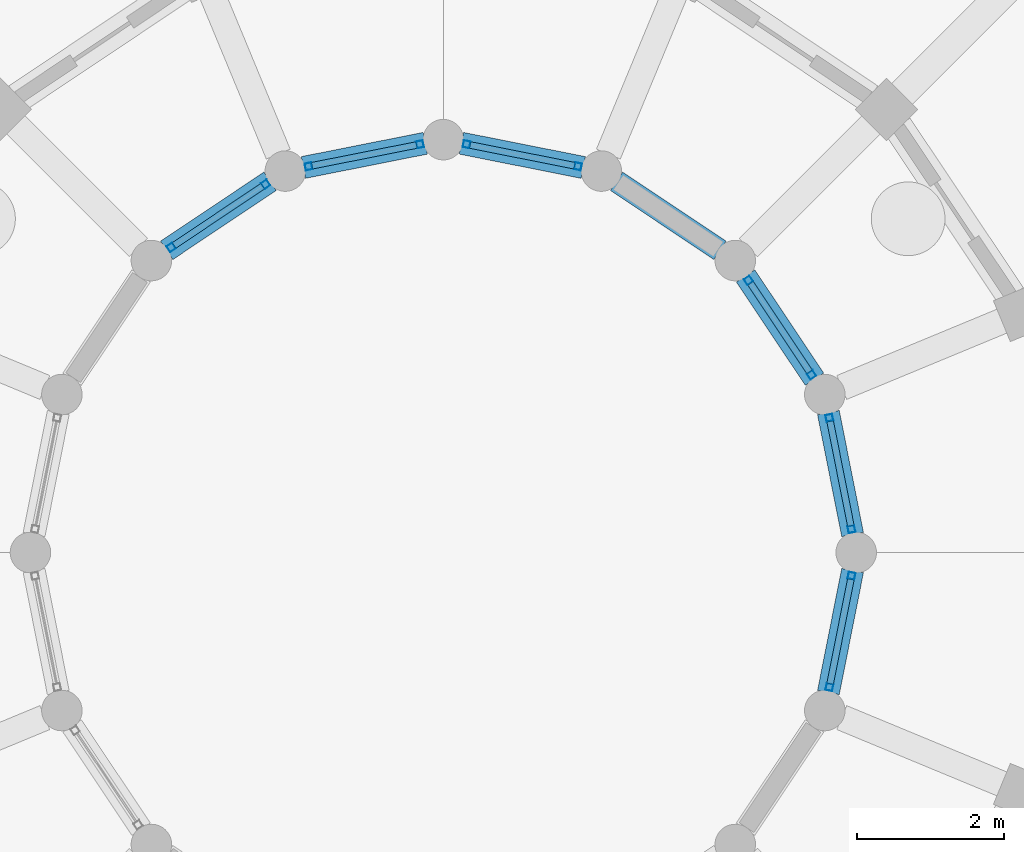
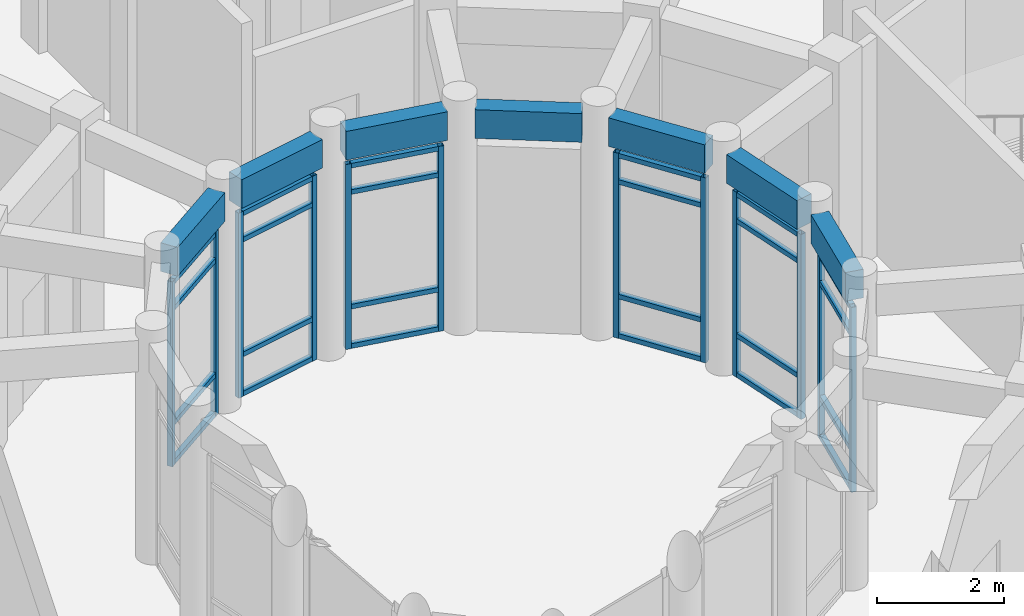
# One storey, part 22 of 153: 36 members, 7 beams, 6 elements without a shape of their own.
"""IFC4 building model written with IfcOpenShell, lengths in metres."""

from ifc_helpers import new_model, si_unit, direction, frame, origin, origin_2d, place, context, subcontext, project, spatial, rectangle, hollow_rectangle, extrude, material, material_profile, profile_set, type_object, element, aggregate, save


model = new_model("IFC4")

# Units and contexts
model_context = context("Model", 3, precision=1e-05, world=origin(), true_north=direction((0.0, 1.0)))
body_context = subcontext(model_context, "Body", "Model", "MODEL_VIEW")
ifc_project = project(units=[si_unit("LENGTHUNIT", "METRE"), si_unit("AREAUNIT", "SQUARE_METRE"), si_unit("VOLUMEUNIT", "CUBIC_METRE"), si_unit("PLANEANGLEUNIT", "RADIAN"), si_unit("MASSUNIT", "GRAM", prefix="KILO")], contexts=[model_context])

# Site, building, storey
site_placement = place(None, origin())
site = spatial("IfcSite", under=ifc_project, at=site_placement, CompositionType="ELEMENT")
building_placement = place(site_placement, origin())
building = spatial("IfcBuilding", under=site, at=building_placement, Name="Celadon Cloister-Ring School", CompositionType="ELEMENT")
storey_placement = place(building_placement, origin())
storey = spatial("IfcBuildingStorey", under=building, at=storey_placement, Name="L00", CompositionType="ELEMENT", Elevation=0.0)

# Curtain wall, members
ifc_material_1 = material(Name="Aluminium EN AW-6063 T6", Category="aluminium")
curtain_wall_type = type_object("IfcCurtainWallType", Name="CW-03", PredefinedType="USERDEFINED", material=ifc_material_1)
curtain_wall_1_placement = place(storey_placement, origin())
curtain_wall_1 = element("IfcCurtainWall", 1, at=curtain_wall_1_placement, inside=storey, type_object=curtain_wall_type, Name="Curtain Wall 0127", ObjectType="CURTAIN WALL", PredefinedType="USERDEFINED")
ifc_material_2 = material(Name="Aluminium EN AW-6063 T6", Category="aluminium")
ifc_material_profile_1 = material_profile(ifc_material_2, hollow_rectangle(XDim=0.094970703125, YDim=0.094970703125, WallThickness=0.00390625, at=origin_2d()), Name="RHS95X95X4")
ifc_profile_set_1 = profile_set([ifc_material_profile_1], Name="Aluminium EN AW-6063 T6")
member_type_1 = type_object("IfcMemberType", Name="CM-02", PredefinedType="MULLION", material=ifc_profile_set_1)
member_1_placement = place(storey_placement, frame((25.73681640625, 20.316650390625, 0.0), z_axis=(0.0, 0.0, 1.0), x_axis=(-0.980885435464, -0.194586131301, 0.0)))
member_1 = element("IfcMember", 2, at=member_1_placement, type_object=member_type_1, Name="CW-03 mullion 1", PredefinedType="MULLION", context=body_context, shape_type="SweptSolid", body=[
    extrude(hollow_rectangle(XDim=0.094970703125, YDim=0.094970703125, WallThickness=0.00390625, at=origin_2d()), origin(), (0.0, 0.0, 1.0), 3.550048828125),
])
member_2_placement = place(storey_placement, frame((25.437255859375, 21.826416015625, 0.0), z_axis=(0.0, 0.0, 1.0), x_axis=(-0.980885435464, -0.194586131301, 0.0)))
member_2 = element("IfcMember", 3, at=member_2_placement, type_object=member_type_1, Name="CW-03 mullion 2", PredefinedType="MULLION", context=body_context, shape_type="SweptSolid", body=[
    extrude(hollow_rectangle(XDim=0.094970703125, YDim=0.094970703125, WallThickness=0.00390625, at=origin_2d()), origin(), (0.0, 0.0, 1.0), 3.550048828125),
])

curtain_wall_2_placement = place(storey_placement, origin())
curtain_wall_2 = element("IfcCurtainWall", 4, at=curtain_wall_2_placement, inside=storey, type_object=curtain_wall_type, Name="Curtain Wall 0128", ObjectType="CURTAIN WALL", PredefinedType="USERDEFINED")
member_3_placement = place(storey_placement, frame((25.194580078125, 22.411376953125, 0.0), z_axis=(0.0, 0.0, 1.0), x_axis=(-0.831485091394, -0.555547066224, 0.0)))
member_3 = element("IfcMember", 5, at=member_3_placement, type_object=member_type_1, Name="CW-03 mullion 1", PredefinedType="MULLION", context=body_context, shape_type="SweptSolid", body=[
    extrude(hollow_rectangle(XDim=0.094970703125, YDim=0.094970703125, WallThickness=0.00390625, at=origin_2d()), origin(), (0.0, 0.0, 1.0), 3.550048828125),
])
member_4_placement = place(storey_placement, frame((24.33935546875, 23.69140625, 0.0), z_axis=(0.0, 0.0, 1.0), x_axis=(-0.831485091394, -0.555547066224, 0.0)))
member_4 = element("IfcMember", 6, at=member_4_placement, type_object=member_type_1, Name="CW-03 mullion 2", PredefinedType="MULLION", context=body_context, shape_type="SweptSolid", body=[
    extrude(hollow_rectangle(XDim=0.094970703125, YDim=0.094970703125, WallThickness=0.00390625, at=origin_2d()), origin(), (0.0, 0.0, 1.0), 3.550048828125),
])

curtain_wall_3_placement = place(storey_placement, origin())
curtain_wall_3 = element("IfcCurtainWall", 7, at=curtain_wall_3_placement, inside=storey, type_object=curtain_wall_type, Name="Curtain Wall 0129", ObjectType="CURTAIN WALL", PredefinedType="USERDEFINED")
member_5_placement = place(storey_placement, frame((22.0263671875, 25.2373046875, 0.0), z_axis=(0.0, 0.0, 1.0), x_axis=(-0.194586131301, -0.980885435464, 0.0)))
member_5 = element("IfcMember", 8, at=member_5_placement, type_object=member_type_1, Name="CW-03 mullion 1", PredefinedType="MULLION", context=body_context, shape_type="SweptSolid", body=[
    extrude(hollow_rectangle(XDim=0.094970703125, YDim=0.094970703125, WallThickness=0.00390625, at=origin_2d()), origin(), (0.0, 0.0, 1.0), 3.550048828125),
])
member_6_placement = place(storey_placement, frame((20.5166015625, 25.536865234375, 0.0), z_axis=(0.0, 0.0, 1.0), x_axis=(-0.194586131301, -0.980885435464, 0.0)))
member_6 = element("IfcMember", 9, at=member_6_placement, type_object=member_type_1, Name="CW-03 mullion 2", PredefinedType="MULLION", context=body_context, shape_type="SweptSolid", body=[
    extrude(hollow_rectangle(XDim=0.094970703125, YDim=0.094970703125, WallThickness=0.00390625, at=origin_2d()), origin(), (0.0, 0.0, 1.0), 3.550048828125),
])

curtain_wall_4_placement = place(storey_placement, origin())
curtain_wall_4 = element("IfcCurtainWall", 10, at=curtain_wall_4_placement, inside=storey, type_object=curtain_wall_type, Name="Curtain Wall 0130", ObjectType="CURTAIN WALL", PredefinedType="USERDEFINED")
member_7_placement = place(storey_placement, frame((19.88330078125, 25.536865234375, 0.0), z_axis=(0.0, 0.0, 1.0), x_axis=(0.194586131301, -0.980885435464, 0.0)))
member_7 = element("IfcMember", 11, at=member_7_placement, type_object=member_type_1, Name="CW-03 mullion 1", PredefinedType="MULLION", context=body_context, shape_type="SweptSolid", body=[
    extrude(hollow_rectangle(XDim=0.094970703125, YDim=0.094970703125, WallThickness=0.00390625, at=origin_2d()), origin(), (0.0, 0.0, 1.0), 3.550048828125),
])
member_8_placement = place(storey_placement, frame((18.37353515625, 25.2373046875, 0.0), z_axis=(0.0, 0.0, 1.0), x_axis=(0.194586131301, -0.980885435464, 0.0)))
member_8 = element("IfcMember", 12, at=member_8_placement, type_object=member_type_1, Name="CW-03 mullion 2", PredefinedType="MULLION", context=body_context, shape_type="SweptSolid", body=[
    extrude(hollow_rectangle(XDim=0.094970703125, YDim=0.094970703125, WallThickness=0.00390625, at=origin_2d()), origin(), (0.0, 0.0, 1.0), 3.550048828125),
])

curtain_wall_5_placement = place(storey_placement, origin())
curtain_wall_5 = element("IfcCurtainWall", 13, at=curtain_wall_5_placement, inside=storey, type_object=curtain_wall_type, Name="Curtain Wall 0131", ObjectType="CURTAIN WALL", PredefinedType="USERDEFINED")
member_9_placement = place(storey_placement, frame((17.78857421875, 24.99462890625, 0.0), z_axis=(0.0, 0.0, 1.0), x_axis=(0.555547066224, -0.831485091394, 0.0)))
member_9 = element("IfcMember", 14, at=member_9_placement, type_object=member_type_1, Name="CW-03 mullion 1", PredefinedType="MULLION", context=body_context, shape_type="SweptSolid", body=[
    extrude(hollow_rectangle(XDim=0.094970703125, YDim=0.094970703125, WallThickness=0.00390625, at=origin_2d()), origin(), (0.0, 0.0, 1.0), 3.550048828125),
])
member_10_placement = place(storey_placement, frame((16.508544921875, 24.139404296875, 0.0), z_axis=(0.0, 0.0, 1.0), x_axis=(0.555547066224, -0.831485091394, 0.0)))
member_10 = element("IfcMember", 15, at=member_10_placement, type_object=member_type_1, Name="CW-03 mullion 2", PredefinedType="MULLION", context=body_context, shape_type="SweptSolid", body=[
    extrude(hollow_rectangle(XDim=0.094970703125, YDim=0.094970703125, WallThickness=0.00390625, at=origin_2d()), origin(), (0.0, 0.0, 1.0), 3.550048828125),
])

curtain_wall_6_placement = place(storey_placement, origin())
curtain_wall_6 = element("IfcCurtainWall", 16, at=curtain_wall_6_placement, inside=storey, type_object=curtain_wall_type, Name="Curtain Wall 0138", ObjectType="CURTAIN WALL", PredefinedType="USERDEFINED")
member_11_placement = place(storey_placement, frame((25.437255859375, 18.173583984375, 0.0), z_axis=(0.0, 0.0, 1.0), x_axis=(-0.980885435464, 0.194586131301, 0.0)))
member_11 = element("IfcMember", 17, at=member_11_placement, type_object=member_type_1, Name="CW-03 mullion 1", PredefinedType="MULLION", context=body_context, shape_type="SweptSolid", body=[
    extrude(hollow_rectangle(XDim=0.094970703125, YDim=0.094970703125, WallThickness=0.00390625, at=origin_2d()), origin(), (0.0, 0.0, 1.0), 3.550048828125),
])
member_12_placement = place(storey_placement, frame((25.73681640625, 19.683349609375, 0.0), z_axis=(0.0, 0.0, 1.0), x_axis=(-0.980885435464, 0.194586131301, 0.0)))
member_12 = element("IfcMember", 18, at=member_12_placement, type_object=member_type_1, Name="CW-03 mullion 2", PredefinedType="MULLION", context=body_context, shape_type="SweptSolid", body=[
    extrude(hollow_rectangle(XDim=0.094970703125, YDim=0.094970703125, WallThickness=0.00390625, at=origin_2d()), origin(), (0.0, 0.0, 1.0), 3.550048828125),
])

# Member
ifc_material_3 = material(Name="Aluminium EN AW-6063 T6", Category="aluminium")
ifc_material_profile_2 = material_profile(ifc_material_3, hollow_rectangle(XDim=0.090087890625, YDim=0.090087890625, WallThickness=0.00390625, at=origin_2d()), Name="RHS90X90X4")
ifc_profile_set_2 = profile_set([ifc_material_profile_2], Name="Aluminium EN AW-6063 T6")
member_type_2 = type_object("IfcMemberType", Name="CTM-02", PredefinedType="USERDEFINED", material=ifc_profile_set_2)
member_13_placement = place(storey_placement, frame((25.7275390625, 20.36328125, 0.044921875), z_axis=(-0.194587856315, 0.980885093257, 0.0), x_axis=(-0.980885093257, -0.194587856315, 0.0)))
member_13 = element("IfcMember", 19, at=member_13_placement, type_object=member_type_2, Name="CW-03 transom 1.1", ObjectType="TRANSOM", PredefinedType="USERDEFINED", context=body_context, shape_type="SweptSolid", body=[
    extrude(hollow_rectangle(XDim=0.090087890625, YDim=0.090087890625, WallThickness=0.00390625, at=origin_2d()), origin(), (0.0, 0.0, 1.0), 1.444091796875),
])

member_14_placement = place(storey_placement, frame((25.7275390625, 20.36328125, 0.800048828125), z_axis=(-0.194587856315, 0.980885093257, 0.0), x_axis=(-0.980885093257, -0.194587856315, 0.0)))
member_14 = element("IfcMember", 20, at=member_14_placement, type_object=member_type_2, Name="CW-03 transom 1.2", ObjectType="TRANSOM", PredefinedType="USERDEFINED", context=body_context, shape_type="SweptSolid", body=[
    extrude(hollow_rectangle(XDim=0.090087890625, YDim=0.090087890625, WallThickness=0.00390625, at=origin_2d()), origin(), (0.0, 0.0, 1.0), 1.444091796875),
])

member_15_placement = place(storey_placement, frame((25.7275390625, 20.36328125, 3.0), z_axis=(-0.194587856315, 0.980885093257, 0.0), x_axis=(-0.980885093257, -0.194587856315, 0.0)))
member_15 = element("IfcMember", 21, at=member_15_placement, type_object=member_type_2, Name="CW-03 transom 1.3", ObjectType="TRANSOM", PredefinedType="USERDEFINED", context=body_context, shape_type="SweptSolid", body=[
    extrude(hollow_rectangle(XDim=0.090087890625, YDim=0.090087890625, WallThickness=0.00390625, at=origin_2d()), origin(), (0.0, 0.0, 1.0), 1.444091796875),
])

member_16_placement = place(storey_placement, frame((25.7275390625, 20.36328125, 3.5048828125), z_axis=(-0.194587856315, 0.980885093257, 0.0), x_axis=(-0.980885093257, -0.194587856315, 0.0)))
member_16 = element("IfcMember", 22, at=member_16_placement, type_object=member_type_2, Name="CW-03 transom 1.4", ObjectType="TRANSOM", PredefinedType="USERDEFINED", context=body_context, shape_type="SweptSolid", body=[
    extrude(hollow_rectangle(XDim=0.090087890625, YDim=0.090087890625, WallThickness=0.00390625, at=origin_2d()), origin(), (0.0, 0.0, 1.0), 1.444091796875),
])

aggregate(curtain_wall_1, [member_1, member_2, member_13, member_14, member_15, member_16])

member_17_placement = place(storey_placement, frame((25.168212890625, 22.450927734375, 0.044921875), z_axis=(-0.555518951009, 0.831503875559, 0.0), x_axis=(-0.831503875559, -0.555518951009, 0.0)))
member_17 = element("IfcMember", 23, at=member_17_placement, type_object=member_type_2, Name="CW-03 transom 1.1", ObjectType="TRANSOM", PredefinedType="USERDEFINED", context=body_context, shape_type="SweptSolid", body=[
    extrude(hollow_rectangle(XDim=0.090087890625, YDim=0.090087890625, WallThickness=0.00390625, at=origin_2d()), origin(), (0.0, 0.0, 1.0), 1.444580078125),
])

member_18_placement = place(storey_placement, frame((25.168212890625, 22.450927734375, 0.800048828125), z_axis=(-0.555518951009, 0.831503875559, 0.0), x_axis=(-0.831503875559, -0.555518951009, 0.0)))
member_18 = element("IfcMember", 24, at=member_18_placement, type_object=member_type_2, Name="CW-03 transom 1.2", ObjectType="TRANSOM", PredefinedType="USERDEFINED", context=body_context, shape_type="SweptSolid", body=[
    extrude(hollow_rectangle(XDim=0.090087890625, YDim=0.090087890625, WallThickness=0.00390625, at=origin_2d()), origin(), (0.0, 0.0, 1.0), 1.444580078125),
])

member_19_placement = place(storey_placement, frame((25.168212890625, 22.450927734375, 3.0), z_axis=(-0.555518951009, 0.831503875559, 0.0), x_axis=(-0.831503875559, -0.555518951009, 0.0)))
member_19 = element("IfcMember", 25, at=member_19_placement, type_object=member_type_2, Name="CW-03 transom 1.3", ObjectType="TRANSOM", PredefinedType="USERDEFINED", context=body_context, shape_type="SweptSolid", body=[
    extrude(hollow_rectangle(XDim=0.090087890625, YDim=0.090087890625, WallThickness=0.00390625, at=origin_2d()), origin(), (0.0, 0.0, 1.0), 1.444580078125),
])

member_20_placement = place(storey_placement, frame((25.168212890625, 22.450927734375, 3.5048828125), z_axis=(-0.555518951009, 0.831503875559, 0.0), x_axis=(-0.831503875559, -0.555518951009, 0.0)))
member_20 = element("IfcMember", 26, at=member_20_placement, type_object=member_type_2, Name="CW-03 transom 1.4", ObjectType="TRANSOM", PredefinedType="USERDEFINED", context=body_context, shape_type="SweptSolid", body=[
    extrude(hollow_rectangle(XDim=0.090087890625, YDim=0.090087890625, WallThickness=0.00390625, at=origin_2d()), origin(), (0.0, 0.0, 1.0), 1.444580078125),
])

aggregate(curtain_wall_2, [member_3, member_4, member_17, member_18, member_19, member_20])

member_21_placement = place(storey_placement, frame((21.979736328125, 25.24658203125, 0.044921875), z_axis=(-0.980885093257, 0.194587856315, 0.0), x_axis=(-0.194587856315, -0.980885093257, 0.0)))
member_21 = element("IfcMember", 27, at=member_21_placement, type_object=member_type_2, Name="CW-03 transom 1.1", ObjectType="TRANSOM", PredefinedType="USERDEFINED", context=body_context, shape_type="SweptSolid", body=[
    extrude(hollow_rectangle(XDim=0.090087890625, YDim=0.090087890625, WallThickness=0.00390625, at=origin_2d()), origin(), (0.0, 0.0, 1.0), 1.444091796875),
])

member_22_placement = place(storey_placement, frame((21.979736328125, 25.24658203125, 0.800048828125), z_axis=(-0.980885093257, 0.194587856315, 0.0), x_axis=(-0.194587856315, -0.980885093257, 0.0)))
member_22 = element("IfcMember", 28, at=member_22_placement, type_object=member_type_2, Name="CW-03 transom 1.2", ObjectType="TRANSOM", PredefinedType="USERDEFINED", context=body_context, shape_type="SweptSolid", body=[
    extrude(hollow_rectangle(XDim=0.090087890625, YDim=0.090087890625, WallThickness=0.00390625, at=origin_2d()), origin(), (0.0, 0.0, 1.0), 1.444091796875),
])

member_23_placement = place(storey_placement, frame((21.979736328125, 25.24658203125, 3.0), z_axis=(-0.980885093257, 0.194587856315, 0.0), x_axis=(-0.194587856315, -0.980885093257, 0.0)))
member_23 = element("IfcMember", 29, at=member_23_placement, type_object=member_type_2, Name="CW-03 transom 1.3", ObjectType="TRANSOM", PredefinedType="USERDEFINED", context=body_context, shape_type="SweptSolid", body=[
    extrude(hollow_rectangle(XDim=0.090087890625, YDim=0.090087890625, WallThickness=0.00390625, at=origin_2d()), origin(), (0.0, 0.0, 1.0), 1.444091796875),
])

member_24_placement = place(storey_placement, frame((21.979736328125, 25.24658203125, 3.5048828125), z_axis=(-0.980885093257, 0.194587856315, 0.0), x_axis=(-0.194587856315, -0.980885093257, 0.0)))
member_24 = element("IfcMember", 30, at=member_24_placement, type_object=member_type_2, Name="CW-03 transom 1.4", ObjectType="TRANSOM", PredefinedType="USERDEFINED", context=body_context, shape_type="SweptSolid", body=[
    extrude(hollow_rectangle(XDim=0.090087890625, YDim=0.090087890625, WallThickness=0.00390625, at=origin_2d()), origin(), (0.0, 0.0, 1.0), 1.444091796875),
])

aggregate(curtain_wall_3, [member_5, member_6, member_21, member_22, member_23, member_24])

member_25_placement = place(storey_placement, frame((19.8369140625, 25.527587890625, 0.044921875), z_axis=(-0.98089149302, -0.194555593394, 0.0), x_axis=(0.194555593394, -0.98089149302, 0.0)))
member_25 = element("IfcMember", 31, at=member_25_placement, type_object=member_type_2, Name="CW-03 transom 1.1", ObjectType="TRANSOM", PredefinedType="USERDEFINED", context=body_context, shape_type="SweptSolid", body=[
    extrude(hollow_rectangle(XDim=0.090087890625, YDim=0.090087890625, WallThickness=0.00390625, at=origin_2d()), origin(), (0.0, 0.0, 1.0), 1.4443359375),
])

member_26_placement = place(storey_placement, frame((19.8369140625, 25.527587890625, 0.800048828125), z_axis=(-0.98089149302, -0.194555593394, 0.0), x_axis=(0.194555593394, -0.98089149302, 0.0)))
member_26 = element("IfcMember", 32, at=member_26_placement, type_object=member_type_2, Name="CW-03 transom 1.2", ObjectType="TRANSOM", PredefinedType="USERDEFINED", context=body_context, shape_type="SweptSolid", body=[
    extrude(hollow_rectangle(XDim=0.090087890625, YDim=0.090087890625, WallThickness=0.00390625, at=origin_2d()), origin(), (0.0, 0.0, 1.0), 1.4443359375),
])

member_27_placement = place(storey_placement, frame((19.8369140625, 25.527587890625, 3.0), z_axis=(-0.98089149302, -0.194555593394, 0.0), x_axis=(0.194555593394, -0.98089149302, 0.0)))
member_27 = element("IfcMember", 33, at=member_27_placement, type_object=member_type_2, Name="CW-03 transom 1.3", ObjectType="TRANSOM", PredefinedType="USERDEFINED", context=body_context, shape_type="SweptSolid", body=[
    extrude(hollow_rectangle(XDim=0.090087890625, YDim=0.090087890625, WallThickness=0.00390625, at=origin_2d()), origin(), (0.0, 0.0, 1.0), 1.4443359375),
])

member_28_placement = place(storey_placement, frame((19.8369140625, 25.527587890625, 3.5048828125), z_axis=(-0.98089149302, -0.194555593394, 0.0), x_axis=(0.194555593394, -0.98089149302, 0.0)))
member_28 = element("IfcMember", 34, at=member_28_placement, type_object=member_type_2, Name="CW-03 transom 1.4", ObjectType="TRANSOM", PredefinedType="USERDEFINED", context=body_context, shape_type="SweptSolid", body=[
    extrude(hollow_rectangle(XDim=0.090087890625, YDim=0.090087890625, WallThickness=0.00390625, at=origin_2d()), origin(), (0.0, 0.0, 1.0), 1.4443359375),
])

aggregate(curtain_wall_4, [member_7, member_8, member_25, member_26, member_27, member_28])

member_29_placement = place(storey_placement, frame((17.7490234375, 24.96826171875, 0.044921875), z_axis=(-0.831451709445, -0.555597025604, 0.0), x_axis=(0.555597025604, -0.831451709445, 0.0)))
member_29 = element("IfcMember", 35, at=member_29_placement, type_object=member_type_2, Name="CW-03 transom 1.1", ObjectType="TRANSOM", PredefinedType="USERDEFINED", context=body_context, shape_type="SweptSolid", body=[
    extrude(hollow_rectangle(XDim=0.090087890625, YDim=0.090087890625, WallThickness=0.00390625, at=origin_2d()), origin(), (0.0, 0.0, 1.0), 1.4443359375),
])

member_30_placement = place(storey_placement, frame((17.7490234375, 24.96826171875, 0.800048828125), z_axis=(-0.831451709445, -0.555597025604, 0.0), x_axis=(0.555597025604, -0.831451709445, 0.0)))
member_30 = element("IfcMember", 36, at=member_30_placement, type_object=member_type_2, Name="CW-03 transom 1.2", ObjectType="TRANSOM", PredefinedType="USERDEFINED", context=body_context, shape_type="SweptSolid", body=[
    extrude(hollow_rectangle(XDim=0.090087890625, YDim=0.090087890625, WallThickness=0.00390625, at=origin_2d()), origin(), (0.0, 0.0, 1.0), 1.4443359375),
])

member_31_placement = place(storey_placement, frame((17.7490234375, 24.96826171875, 3.0), z_axis=(-0.831451709445, -0.555597025604, 0.0), x_axis=(0.555597025604, -0.831451709445, 0.0)))
member_31 = element("IfcMember", 37, at=member_31_placement, type_object=member_type_2, Name="CW-03 transom 1.3", ObjectType="TRANSOM", PredefinedType="USERDEFINED", context=body_context, shape_type="SweptSolid", body=[
    extrude(hollow_rectangle(XDim=0.090087890625, YDim=0.090087890625, WallThickness=0.00390625, at=origin_2d()), origin(), (0.0, 0.0, 1.0), 1.4443359375),
])

member_32_placement = place(storey_placement, frame((17.7490234375, 24.96826171875, 3.5048828125), z_axis=(-0.831451709445, -0.555597025604, 0.0), x_axis=(0.555597025604, -0.831451709445, 0.0)))
member_32 = element("IfcMember", 38, at=member_32_placement, type_object=member_type_2, Name="CW-03 transom 1.4", ObjectType="TRANSOM", PredefinedType="USERDEFINED", context=body_context, shape_type="SweptSolid", body=[
    extrude(hollow_rectangle(XDim=0.090087890625, YDim=0.090087890625, WallThickness=0.00390625, at=origin_2d()), origin(), (0.0, 0.0, 1.0), 1.4443359375),
])

aggregate(curtain_wall_5, [member_9, member_10, member_29, member_30, member_31, member_32])

member_33_placement = place(storey_placement, frame((25.446533203125, 18.22021484375, 0.044921875), z_axis=(0.194587856315, 0.980885093257, 0.0), x_axis=(-0.980885093257, 0.194587856315, 0.0)))
member_33 = element("IfcMember", 39, at=member_33_placement, type_object=member_type_2, Name="CW-03 transom 1.1", ObjectType="TRANSOM", PredefinedType="USERDEFINED", context=body_context, shape_type="SweptSolid", body=[
    extrude(hollow_rectangle(XDim=0.090087890625, YDim=0.090087890625, WallThickness=0.00390625, at=origin_2d()), origin(), (0.0, 0.0, 1.0), 1.444091796875),
])

member_34_placement = place(storey_placement, frame((25.446533203125, 18.22021484375, 0.800048828125), z_axis=(0.194587856315, 0.980885093257, 0.0), x_axis=(-0.980885093257, 0.194587856315, 0.0)))
member_34 = element("IfcMember", 40, at=member_34_placement, type_object=member_type_2, Name="CW-03 transom 1.2", ObjectType="TRANSOM", PredefinedType="USERDEFINED", context=body_context, shape_type="SweptSolid", body=[
    extrude(hollow_rectangle(XDim=0.090087890625, YDim=0.090087890625, WallThickness=0.00390625, at=origin_2d()), origin(), (0.0, 0.0, 1.0), 1.444091796875),
])

member_35_placement = place(storey_placement, frame((25.446533203125, 18.22021484375, 3.0), z_axis=(0.194587856315, 0.980885093257, 0.0), x_axis=(-0.980885093257, 0.194587856315, 0.0)))
member_35 = element("IfcMember", 41, at=member_35_placement, type_object=member_type_2, Name="CW-03 transom 1.3", ObjectType="TRANSOM", PredefinedType="USERDEFINED", context=body_context, shape_type="SweptSolid", body=[
    extrude(hollow_rectangle(XDim=0.090087890625, YDim=0.090087890625, WallThickness=0.00390625, at=origin_2d()), origin(), (0.0, 0.0, 1.0), 1.444091796875),
])

member_36_placement = place(storey_placement, frame((25.446533203125, 18.22021484375, 3.5048828125), z_axis=(0.194587856315, 0.980885093257, 0.0), x_axis=(-0.980885093257, 0.194587856315, 0.0)))
member_36 = element("IfcMember", 42, at=member_36_placement, type_object=member_type_2, Name="CW-03 transom 1.4", ObjectType="TRANSOM", PredefinedType="USERDEFINED", context=body_context, shape_type="SweptSolid", body=[
    extrude(hollow_rectangle(XDim=0.090087890625, YDim=0.090087890625, WallThickness=0.00390625, at=origin_2d()), origin(), (0.0, 0.0, 1.0), 1.444091796875),
])

aggregate(curtain_wall_6, [member_11, member_12, member_33, member_34, member_35, member_36])

# Beams
ifc_material_4 = material(Name="Concrete C35/45", Category="concrete")
ifc_material_profile_3 = material_profile(ifc_material_4, rectangle(XDim=0.300048828125, YDim=0.550048828125, at=origin_2d()), Name="RC300X550")
ifc_profile_set_3 = profile_set([ifc_material_profile_3], Name="Concrete C35/45")
beam_type = type_object("IfcBeamType", Name="SP-02", PredefinedType="SPANDREL", material=ifc_profile_set_3)
beam_1_placement = place(storey_placement, frame((25.7509765625, 20.2451171875, 3.985107421875), z_axis=(-0.194583435458, 0.980885970256, 0.0), x_axis=(-0.980885970256, -0.194583435458, 0.0)))
element("IfcBeam", 43, at=beam_1_placement, inside=storey, type_object=beam_type, Name="Beam 0875", PredefinedType="SPANDREL", context=body_context, shape_type="SweptSolid", body=[
    extrude(rectangle(XDim=0.300048828125, YDim=0.550048828125, at=origin_2d()), origin(), (0.0, 0.0, 1.0), 1.68505859375),
])
beam_2_placement = place(storey_placement, frame((25.235107421875, 22.35107421875, 3.985107421875), z_axis=(-0.555569328961, 0.831470216374, 0.0), x_axis=(-0.831470216374, -0.555569328961, 0.0)))
element("IfcBeam", 44, at=beam_2_placement, inside=storey, type_object=beam_type, Name="Beam 0878", PredefinedType="SPANDREL", context=body_context, shape_type="SweptSolid", body=[
    extrude(rectangle(XDim=0.300048828125, YDim=0.550048828125, at=origin_2d()), origin(), (0.0, 0.0, 1.0), 1.684814453125),
])
beam_3_placement = place(storey_placement, frame((23.951904296875, 24.09912109375, 3.985107421875), z_axis=(-0.831537153477, 0.555469137204, 0.0), x_axis=(-0.555469137204, -0.831537153477, 0.0)))
element("IfcBeam", 45, at=beam_3_placement, inside=storey, type_object=beam_type, Name="Beam 0881", PredefinedType="SPANDREL", context=body_context, shape_type="SweptSolid", body=[
    extrude(rectangle(XDim=0.300048828125, YDim=0.550048828125, at=origin_2d()), origin(), (0.0, 0.0, 1.0), 1.6845703125),
])
beam_4_placement = place(storey_placement, frame((22.097900390625, 25.222900390625, 3.985107421875), z_axis=(-0.980858307367, 0.194722830887, 0.0), x_axis=(-0.194722830887, -0.980858307367, 0.0)))
element("IfcBeam", 46, at=beam_4_placement, inside=storey, type_object=beam_type, Name="Beam 0884", PredefinedType="SPANDREL", context=body_context, shape_type="SweptSolid", body=[
    extrude(rectangle(XDim=0.300048828125, YDim=0.550048828125, at=origin_2d()), origin(), (0.0, 0.0, 1.0), 1.68505859375),
])
beam_5_placement = place(storey_placement, frame((19.955078125, 25.551025390625, 3.985107421875), z_axis=(-0.980863799725, -0.194695162728, 0.0), x_axis=(0.194695162728, -0.980863799725, 0.0)))
element("IfcBeam", 47, at=beam_5_placement, inside=storey, type_object=beam_type, Name="Beam 0886", PredefinedType="SPANDREL", context=body_context, shape_type="SweptSolid", body=[
    extrude(rectangle(XDim=0.300048828125, YDim=0.550048828125, at=origin_2d()), origin(), (0.0, 0.0, 1.0), 1.685302734375),
])
beam_6_placement = place(storey_placement, frame((17.84912109375, 25.034912109375, 3.985107421875), z_axis=(-0.831581859135, -0.555402207016, 0.0), x_axis=(0.555402207016, -0.831581859135, 0.0)))
element("IfcBeam", 48, at=beam_6_placement, inside=storey, type_object=beam_type, Name="Beam 0889", PredefinedType="SPANDREL", context=body_context, shape_type="SweptSolid", body=[
    extrude(rectangle(XDim=0.300048828125, YDim=0.550048828125, at=origin_2d()), origin(), (0.0, 0.0, 1.0), 1.684814453125),
])
beam_7_placement = place(storey_placement, frame((25.423095703125, 18.10205078125, 3.985107421875), z_axis=(0.194583435458, 0.980885970256, 0.0), x_axis=(-0.980885970256, 0.194583435458, 0.0)))
element("IfcBeam", 49, at=beam_7_placement, inside=storey, type_object=beam_type, Name="Beam 0923", PredefinedType="SPANDREL", context=body_context, shape_type="SweptSolid", body=[
    extrude(rectangle(XDim=0.300048828125, YDim=0.550048828125, at=origin_2d()), origin(), (0.0, 0.0, 1.0), 1.68505859375),
])

save(model, "model.ifc")
